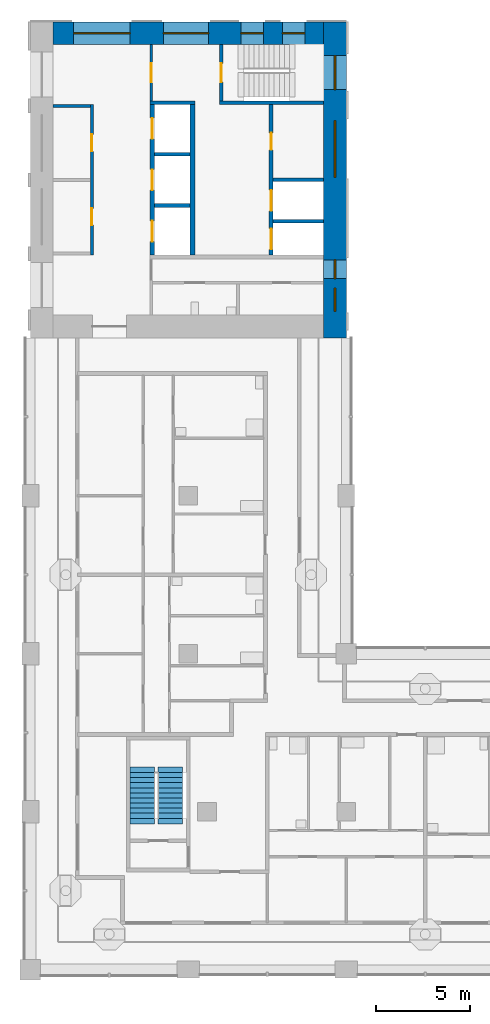
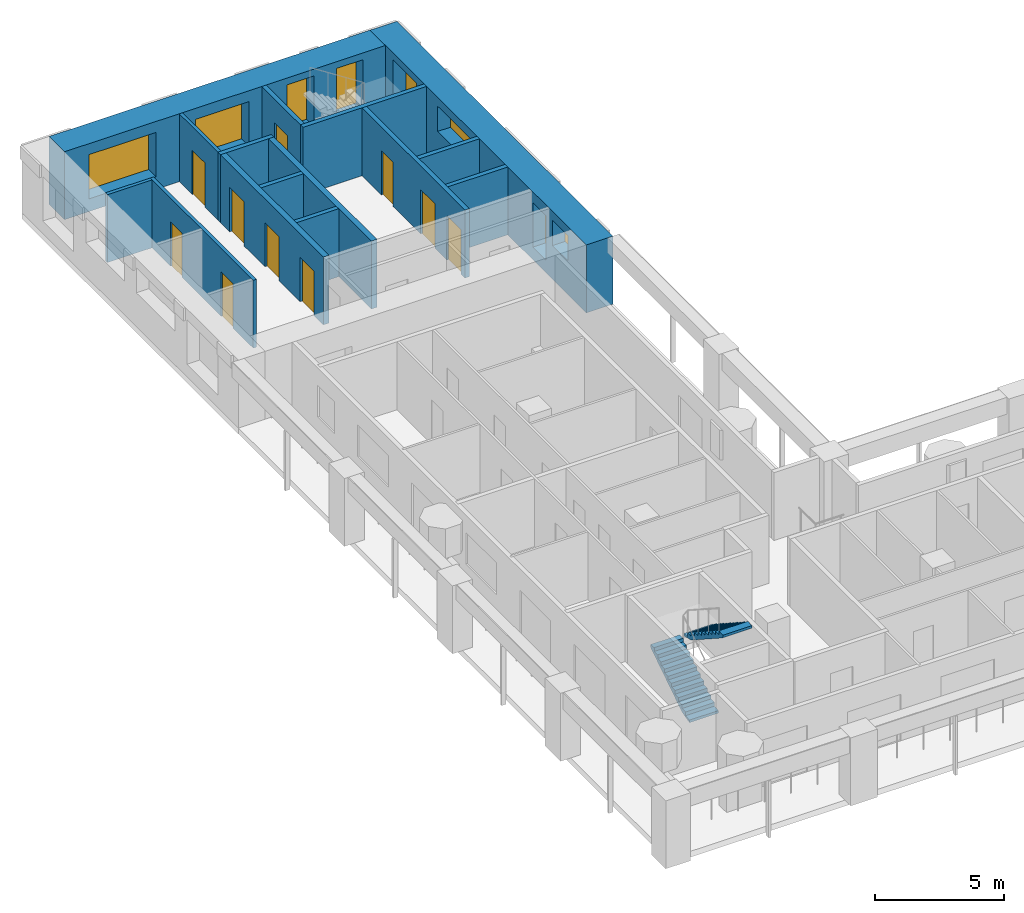
# One storey, part 6 of 13: 15 walls, 10 doors, 8 windows, 2 stair flights, 18 openings, 1 element without a shape of its own.
"""IFC4 building model written with IfcOpenShell, lengths in metres."""

from ifc_helpers import new_model, si_unit, direction, frame, frame_2d, origin, place, context, subcontext, project, spatial, polyline, rectangle, outline, extrude, material, layer, layer_set, type_object, element, fill, aggregate, save


model = new_model("IFC4")

# Units and contexts
model_context = context("Model", 3, precision=1e-05, world=origin(), true_north=direction((0.0, 1.0)))
body_context = subcontext(model_context, "Body", "Model", "MODEL_VIEW")
ifc_project = project(units=[si_unit("LENGTHUNIT", "METRE"), si_unit("AREAUNIT", "SQUARE_METRE"), si_unit("VOLUMEUNIT", "CUBIC_METRE"), si_unit("PLANEANGLEUNIT", "RADIAN"), si_unit("MASSUNIT", "GRAM", prefix="KILO")], contexts=[model_context])

# Site, building, storey
site_placement = place(None, origin())
site = spatial("IfcSite", under=ifc_project, at=site_placement, CompositionType="ELEMENT")
building_placement = place(site_placement, origin())
building = spatial("IfcBuilding", under=site, at=building_placement, Name="Vermilion Gate Residences", CompositionType="ELEMENT")
storey_placement = place(building_placement, frame((0.0, 0.0, 179.199951171875)))
storey = spatial("IfcBuildingStorey", under=building, at=storey_placement, Name="L46", CompositionType="ELEMENT", Elevation=179.199951171875)

# Wall
ifc_material_1 = material(Name="Masonry blockwork", Category="masonry")
ifc_layer_1 = layer(ifc_material_1, 0.14990234375)
ifc_layer_set_1 = layer_set([ifc_layer_1], Name="BLOCKWORK PARTITION 150 EI 120")
wall_type_1 = type_object("IfcWallType", Name="BLOCKWORK PARTITION 150 EI 120", PredefinedType="PARTITIONING", material=ifc_layer_set_1)
wall_1_placement = place(storey_placement, frame((9.60009765625, 54.324951171875, 0.0), z_axis=(0.0, 0.0, 1.0), x_axis=(1.0, 0.0, 0.0)))
element("IfcWall", 1, at=wall_1_placement, inside=storey, type_object=wall_type_1, Name="Core room partition B46-RW-W", PredefinedType="PARTITIONING", context=body_context, shape_type="SweptSolid", body=[
    extrude(rectangle(XDim=2.0, YDim=0.14990234375, at=frame_2d((1.0, 0.0))), origin(), (0.0, 0.0, 1.0), 3.219970703125),
])

# Wall, openings, doors
wall_2_placement = place(storey_placement, frame((11.675048828125, 54.39990234375, 0.0), z_axis=(0.0, 0.0, 1.0), x_axis=(0.0, -1.0, 0.0)))
wall_2 = element("IfcWall", 2, at=wall_2_placement, inside=storey, type_object=wall_type_1, Name="Core room partition B46-LR-F", PredefinedType="PARTITIONING", context=body_context, shape_type="SweptSolid", body=[
    extrude(rectangle(XDim=8.0, YDim=0.14990234375, at=frame_2d((4.0, 0.0))), origin(), (0.0, 0.0, 1.0), 3.219970703125),
])
opening_1_placement = place(wall_2_placement, frame((1.58740234375, 0.0, 0.0)))
opening_1 = element("IfcOpeningElement", 3, at=opening_1_placement, cuts=wall_2, Name="Opening DK46102", PredefinedType="OPENING", context=body_context, shape_type="SweptSolid", body=[
    extrude(rectangle(XDim=0.89990234375, YDim=2.10009765625, at=frame_2d((0.449951171875, 1.050048828125))), frame((0.0, 0.0849609375, 0.0), z_axis=(0.0, -1.0, 0.0), x_axis=(1.0, 0.0, 0.0)), (0.0, 0.0, 1.0), 0.169921875),
])
opening_2_placement = place(wall_2_placement, frame((5.512451171875, 0.0, 0.0)))
opening_2 = element("IfcOpeningElement", 4, at=opening_2_placement, cuts=wall_2, Name="Opening DK46103", PredefinedType="OPENING", context=body_context, shape_type="SweptSolid", body=[
    extrude(rectangle(XDim=0.89990234375, YDim=2.10009765625, at=frame_2d((0.449951171875, 1.050048828125))), frame((0.0, 0.0849609375, 0.0), z_axis=(0.0, -1.0, 0.0), x_axis=(1.0, 0.0, 0.0)), (0.0, 0.0, 1.0), 0.169921875),
])
ifc_material_2 = material(Name="Steel", Category="steel")
door_type_1 = type_object("IfcDoorType", Name="SERVICE ROOM DOOR FD60 900 X 2100", OperationType="SINGLE_SWING_LEFT", PredefinedType="DOOR", material=ifc_material_2)
door_1_placement = place(opening_1_placement, frame((0.89990234375, 0.0, 0.0), z_axis=(0.0, 0.0, 1.0), x_axis=(-1.0, 0.0, 0.0)))
door_1 = element("IfcDoor", 5, at=door_1_placement, inside=storey, type_object=door_type_1, Name="Mail room B46", OperationType="SINGLE_SWING_RIGHT", OverallHeight=2.10009765625, OverallWidth=0.89990234375, PredefinedType="DOOR", context=body_context, shape_type="SweptSolid", body=[
    extrude(rectangle(XDim=0.89990234375, YDim=2.10009765625, at=frame_2d((0.449951171875, 1.050048828125))), frame((0.0, 0.02490234375, 0.0), z_axis=(0.0, -1.0, 0.0), x_axis=(1.0, 0.0, 0.0)), (0.0, 0.0, 1.0), 0.050048828125),
])
fill(opening_1, door_1)
door_2_placement = place(opening_2_placement, frame((0.89990234375, 0.0, 0.0), z_axis=(0.0, 0.0, 1.0), x_axis=(-1.0, 0.0, 0.0)))
door_2 = element("IfcDoor", 6, at=door_2_placement, inside=storey, type_object=door_type_1, Name="Cleaner's store B46", OperationType="SINGLE_SWING_LEFT", OverallHeight=2.10009765625, OverallWidth=0.89990234375, PredefinedType="DOOR", context=body_context, shape_type="SweptSolid", body=[
    extrude(rectangle(XDim=0.89990234375, YDim=2.10009765625, at=frame_2d((0.449951171875, 1.050048828125))), frame((0.0, 0.02490234375, 0.0), z_axis=(0.0, -1.0, 0.0), x_axis=(1.0, 0.0, 0.0)), (0.0, 0.0, 1.0), 0.050048828125),
])
fill(opening_2, door_2)

# Wall, opening, door
wall_3_placement = place(storey_placement, frame((14.824951171875, 57.60009765625, 0.0), z_axis=(0.0, 0.0, 1.0), x_axis=(0.0, -1.0, 0.0)))
wall_3 = element("IfcWall", 7, at=wall_3_placement, inside=storey, type_object=wall_type_1, Name="Core room partition B46-VW-S", PredefinedType="PARTITIONING", context=body_context, shape_type="SweptSolid", body=[
    extrude(rectangle(XDim=3.0, YDim=0.14990234375, at=frame_2d((1.5, 0.0))), origin(), (0.0, 0.0, 1.0), 3.219970703125),
])
opening_3_placement = place(wall_3_placement, frame((1.0, 0.0, 0.0)))
opening_3 = element("IfcOpeningElement", 8, at=opening_3_placement, cuts=wall_3, Name="Opening DK46110", PredefinedType="OPENING", context=body_context, shape_type="SweptSolid", body=[
    extrude(rectangle(XDim=1.0, YDim=2.10009765625, at=frame_2d((0.5, 1.050048828125))), frame((0.0, 0.0849609375, 0.0), z_axis=(0.0, -1.0, 0.0), x_axis=(1.0, 0.0, 0.0)), (0.0, 0.0, 1.0), 0.169921875),
])
ifc_material_3 = material(Name="Steel", Category="steel")
door_type_2 = type_object("IfcDoorType", Name="FIRE DOOR FD60 1000 X 2100", OperationType="SINGLE_SWING_LEFT", PredefinedType="DOOR", material=ifc_material_3)
door_3_placement = place(opening_3_placement, frame((1.0, 0.0, 0.0), z_axis=(0.0, 0.0, 1.0), x_axis=(-1.0, 0.0, 0.0)))
door_3 = element("IfcDoor", 9, at=door_3_placement, inside=storey, type_object=door_type_2, Name="Stair vestibule door B46", OperationType="SINGLE_SWING_RIGHT", OverallHeight=2.10009765625, OverallWidth=1.0, PredefinedType="DOOR", context=body_context, shape_type="SweptSolid", body=[
    extrude(rectangle(XDim=1.0, YDim=2.10009765625, at=frame_2d((0.5, 1.050048828125))), frame((0.0, 0.02490234375, 0.0), z_axis=(0.0, -1.0, 0.0), x_axis=(1.0, 0.0, 0.0)), (0.0, 0.0, 1.0), 0.050048828125),
])
fill(opening_3, door_3)

# Walls
ifc_material_4 = material(Name="Concrete C60", Category="concrete")
ifc_layer_2 = layer(ifc_material_4, 0.199951171875)
ifc_layer_set_2 = layer_set([ifc_layer_2], Name="RC CORE INTERNAL WALL 200 C60")
wall_type_2 = type_object("IfcWallType", Name="RC CORE INTERNAL WALL 200 C60", PredefinedType="SHEAR", material=ifc_layer_set_2)
for number, where, z_axis, x_axis, name in (
    (10, (15.0, 51.7666015625, 0.0), (0.0, 0.0, 1.0), (1.0, 0.0, 0.0), "Core internal wall B46-HR-D1"),
    (11, (15.0, 49.033447265625, 0.0), (0.0, 0.0, 1.0), (1.0, 0.0, 0.0), "Core internal wall B46-HR-D2"),
):
    element("IfcWall", number, at=place(storey_placement, frame(where, z_axis=z_axis, x_axis=x_axis)), inside=storey, type_object=wall_type_2, Name=name, PredefinedType="SHEAR", context=body_context, shape_type="SweptSolid", body=[
        extrude(rectangle(XDim=1.89990234375, YDim=0.199951171875, at=frame_2d((0.949951171875, 0.0))), origin(), (0.0, 0.0, 1.0), 3.219970703125),
    ])
for number, where, z_axis, x_axis, name in (
    (12, (21.300048828125, 50.39990234375, 0.0), (0.0, 0.0, 1.0), (1.0, 0.0, 0.0), "Core internal wall B46-FF-D0"),
    (13, (21.300048828125, 48.199951171875, 0.0), (0.0, 0.0, 1.0), (1.0, 0.0, 0.0), "Core internal wall B46-FF-D1"),
):
    element("IfcWall", number, at=place(storey_placement, frame(where, z_axis=z_axis, x_axis=x_axis)), inside=storey, type_object=wall_type_2, Name=name, PredefinedType="SHEAR", context=body_context, shape_type="SweptSolid", body=[
        extrude(rectangle(XDim=2.699951171875, YDim=0.199951171875, at=frame_2d((1.35009765625, 0.0))), origin(), (0.0, 0.0, 1.0), 3.219970703125),
    ])

# Wall, openings, doors
wall_4_placement = place(storey_placement, frame((21.199951171875, 54.39990234375, 0.0), z_axis=(0.0, 0.0, 1.0), x_axis=(0.0, -1.0, 0.0)))
wall_4 = element("IfcWall", 14, at=wall_4_placement, inside=storey, type_object=wall_type_2, Name="Core internal wall B46-FF-F", PredefinedType="SHEAR", context=body_context, shape_type="SweptSolid", body=[
    extrude(rectangle(XDim=8.0, YDim=0.199951171875, at=frame_2d((4.0, 0.0))), origin(), (0.0, 0.0, 1.0), 3.219970703125),
])
opening_4_placement = place(wall_4_placement, frame((1.5, 0.0, 0.0)))
opening_4 = element("IfcOpeningElement", 15, at=opening_4_placement, cuts=wall_4, Name="Opening DK46107", PredefinedType="OPENING", context=body_context, shape_type="SweptSolid", body=[
    extrude(rectangle(XDim=0.89990234375, YDim=2.10009765625, at=frame_2d((0.449951171875, 1.050048828125))), frame((0.0, 0.10986328125, 0.0), z_axis=(0.0, -1.0, 0.0), x_axis=(1.0, 0.0, 0.0)), (0.0, 0.0, 1.0), 0.219970703125),
])
opening_5_placement = place(wall_4_placement, frame((4.550048828125, 0.0, 0.0)))
opening_5 = element("IfcOpeningElement", 16, at=opening_5_placement, cuts=wall_4, Name="Opening LD", PredefinedType="OPENING", context=body_context, shape_type="SweptSolid", body=[
    extrude(rectangle(XDim=1.10009765625, YDim=2.10009765625, at=frame_2d((0.550048828125, 1.050048828125))), frame((0.0, 0.10986328125, 0.0), z_axis=(0.0, -1.0, 0.0), x_axis=(1.0, 0.0, 0.0)), (0.0, 0.0, 1.0), 0.219970703125),
])
opening_6_placement = place(wall_4_placement, frame((6.60009765625, 0.0, 0.0)))
opening_6 = element("IfcOpeningElement", 17, at=opening_6_placement, cuts=wall_4, Name="Opening LD", PredefinedType="OPENING", context=body_context, shape_type="SweptSolid", body=[
    extrude(rectangle(XDim=1.10009765625, YDim=2.10009765625, at=frame_2d((0.550048828125, 1.050048828125))), frame((0.0, 0.10986328125, 0.0), z_axis=(0.0, -1.0, 0.0), x_axis=(1.0, 0.0, 0.0)), (0.0, 0.0, 1.0), 0.219970703125),
])
ifc_material_5 = material(Name="Stainless steel", Category="steel")
door_type_3 = type_object("IfcDoorType", Name="LIFT LANDING DOOR E60 1100 X 2100", OperationType="DOUBLE_DOOR_SLIDING", PredefinedType="DOOR", material=ifc_material_5)
door_4_placement = place(opening_5_placement, origin())
door_4 = element("IfcDoor", 18, at=door_4_placement, inside=storey, type_object=door_type_3, Name="Lift landing door LFB1", OperationType="DOUBLE_DOOR_SLIDING", OverallHeight=2.10009765625, OverallWidth=1.10009765625, PredefinedType="DOOR", context=body_context, shape_type="SweptSolid", body=[
    extrude(rectangle(XDim=1.10009765625, YDim=2.10009765625, at=frame_2d((0.550048828125, 1.050048828125))), frame((0.0, 0.02490234375, 0.0), z_axis=(0.0, -1.0, 0.0), x_axis=(1.0, 0.0, 0.0)), (0.0, 0.0, 1.0), 0.050048828125),
])
fill(opening_5, door_4)
door_5_placement = place(opening_6_placement, origin())
door_5 = element("IfcDoor", 19, at=door_5_placement, inside=storey, type_object=door_type_3, Name="Lift landing door LCB1", OperationType="DOUBLE_DOOR_SLIDING", OverallHeight=2.10009765625, OverallWidth=1.10009765625, PredefinedType="DOOR", context=body_context, shape_type="SweptSolid", body=[
    extrude(rectangle(XDim=1.10009765625, YDim=2.10009765625, at=frame_2d((0.550048828125, 1.050048828125))), frame((0.0, 0.02490234375, 0.0), z_axis=(0.0, -1.0, 0.0), x_axis=(1.0, 0.0, 0.0)), (0.0, 0.0, 1.0), 0.050048828125),
])
fill(opening_6, door_5)
door_6_placement = place(opening_4_placement, origin())
door_6 = element("IfcDoor", 20, at=door_6_placement, inside=storey, type_object=door_type_1, Name="Housekeeping store B46", OperationType="SINGLE_SWING_LEFT", OverallHeight=2.10009765625, OverallWidth=0.89990234375, PredefinedType="DOOR", context=body_context, shape_type="SweptSolid", body=[
    extrude(rectangle(XDim=0.89990234375, YDim=2.10009765625, at=frame_2d((0.449951171875, 1.050048828125))), frame((0.0, 0.02490234375, 0.0), z_axis=(0.0, -1.0, 0.0), x_axis=(1.0, 0.0, 0.0)), (0.0, 0.0, 1.0), 0.050048828125),
])
fill(opening_4, door_6)

# Walls
wall_5_placement = place(storey_placement, frame((14.75, 54.5, 0.0), z_axis=(0.0, 0.0, 1.0), x_axis=(1.0, 0.0, 0.0)))
element("IfcWall", 21, at=wall_5_placement, inside=storey, type_object=wall_type_2, Name="Core internal wall B46-WDIV1", PredefinedType="SHEAR", context=body_context, shape_type="SweptSolid", body=[
    extrude(rectangle(XDim=2.39990234375, YDim=0.199951171875, at=frame_2d((1.199951171875, 0.0))), origin(), (0.0, 0.0, 1.0), 3.219970703125),
])
wall_6_placement = place(storey_placement, frame((18.449951171875, 54.5, 0.0), z_axis=(0.0, 0.0, 1.0), x_axis=(1.0, 0.0, 0.0)))
element("IfcWall", 22, at=wall_6_placement, inside=storey, type_object=wall_type_2, Name="Core internal wall B46-WDIV2", PredefinedType="SHEAR", context=body_context, shape_type="SweptSolid", body=[
    extrude(rectangle(XDim=5.550048828125, YDim=0.199951171875, at=frame_2d((2.77490234375, 0.0))), origin(), (0.0, 0.0, 1.0), 3.219970703125),
])

# Wall, opening, door
wall_7_placement = place(storey_placement, frame((18.550048828125, 57.60009765625, 0.0), z_axis=(0.0, 0.0, 1.0), x_axis=(0.0, -1.0, 0.0)))
wall_7 = element("IfcWall", 23, at=wall_7_placement, inside=storey, type_object=wall_type_2, Name="Core internal wall B46-STW-S", PredefinedType="SHEAR", context=body_context, shape_type="SweptSolid", body=[
    extrude(rectangle(XDim=3.0, YDim=0.199951171875, at=frame_2d((1.5, 0.0))), origin(), (0.0, 0.0, 1.0), 3.219970703125),
])
opening_7_placement = place(wall_7_placement, frame((1.0, 0.0, 0.0)))
opening_7 = element("IfcOpeningElement", 24, at=opening_7_placement, cuts=wall_7, Name="Opening DK46111", PredefinedType="OPENING", context=body_context, shape_type="SweptSolid", body=[
    extrude(rectangle(XDim=1.0, YDim=2.10009765625, at=frame_2d((0.5, 1.050048828125))), frame((0.0, 0.10986328125, 0.0), z_axis=(0.0, -1.0, 0.0), x_axis=(1.0, 0.0, 0.0)), (0.0, 0.0, 1.0), 0.219970703125),
])
door_7_placement = place(opening_7_placement, origin())
door_7 = element("IfcDoor", 25, at=door_7_placement, inside=storey, type_object=door_type_2, Name="Stair door B46", OperationType="SINGLE_SWING_LEFT", OverallHeight=2.10009765625, OverallWidth=1.0, PredefinedType="DOOR", context=body_context, shape_type="SweptSolid", body=[
    extrude(rectangle(XDim=1.0, YDim=2.10009765625, at=frame_2d((0.5, 1.050048828125))), frame((0.0, 0.02490234375, 0.0), z_axis=(0.0, -1.0, 0.0), x_axis=(1.0, 0.0, 0.0)), (0.0, 0.0, 1.0), 0.050048828125),
])
fill(opening_7, door_7)

# Wall, openings, windows
ifc_material_6 = material(Name="Concrete C60 red-oxide pigmented", Category="concrete")
ifc_layer_3 = layer(ifc_material_6, 1.199951171875)
ifc_layer_set_3 = layer_set([ifc_layer_3], Name="RC CORE WALL 1200 C60 RED OXIDE")
wall_type_3 = type_object("IfcWallType", Name="RC CORE WALL 1200 C60 RED OXIDE", PredefinedType="SHEAR", material=ifc_layer_set_3)
wall_8_placement = place(storey_placement, frame((24.60009765625, 58.800048828125, 0.0), z_axis=(0.0, 0.0, 1.0), x_axis=(0.0, -1.0, 0.0)))
wall_8 = element("IfcWall", 26, at=wall_8_placement, inside=storey, type_object=wall_type_3, Name="Core wall B46-OUT-B1", PredefinedType="SHEAR", context=body_context, shape_type="SweptSolid", body=[
    extrude(rectangle(XDim=16.800048828125, YDim=1.199951171875, at=frame_2d((8.39990234375, 0.0))), origin(), (0.0, 0.0, 1.0), 3.219970703125),
])
opening_8_placement = place(wall_8_placement, frame((1.800048828125, 0.0, 0.5)))
opening_8 = element("IfcOpeningElement", 27, at=opening_8_placement, cuts=wall_8, Name="Opening WKB4605", PredefinedType="OPENING", context=body_context, shape_type="SweptSolid", body=[
    extrude(rectangle(XDim=1.800048828125, YDim=2.39990234375, at=frame_2d((0.89990234375, 1.199951171875))), frame((0.0, 0.60986328125, 0.0), z_axis=(0.0, -1.0, 0.0), x_axis=(1.0, 0.0, 0.0)), (0.0, 0.0, 1.0), 1.219970703125),
])
opening_9_placement = place(wall_8_placement, frame((5.25, 0.0, 1.60009765625)))
opening_9 = element("IfcOpeningElement", 28, at=opening_9_placement, cuts=wall_8, Name="Opening WKB4606", PredefinedType="OPENING", context=body_context, shape_type="SweptSolid", body=[
    extrude(rectangle(XDim=3.0, YDim=1.199951171875, at=frame_2d((1.5, 0.60009765625))), frame((0.0, 0.60986328125, 0.0), z_axis=(0.0, -1.0, 0.0), x_axis=(1.0, 0.0, 0.0)), (0.0, 0.0, 1.0), 1.219970703125),
])
opening_10_placement = place(wall_8_placement, frame((12.64990234375, 0.0, 0.60009765625)))
opening_10 = element("IfcOpeningElement", 29, at=opening_10_placement, cuts=wall_8, Name="Opening WKB4607", PredefinedType="OPENING", context=body_context, shape_type="SweptSolid", body=[
    extrude(rectangle(XDim=1.0, YDim=2.10009765625, at=frame_2d((0.5, 1.050048828125))), frame((0.0, 0.60986328125, 0.0), z_axis=(0.0, -1.0, 0.0), x_axis=(1.0, 0.0, 0.0)), (0.0, 0.0, 1.0), 1.219970703125),
])
opening_11_placement = place(wall_8_placement, frame((14.175048828125, 0.0, 1.60009765625)))
opening_11 = element("IfcOpeningElement", 30, at=opening_11_placement, cuts=wall_8, Name="Opening WKB4608", PredefinedType="OPENING", context=body_context, shape_type="SweptSolid", body=[
    extrude(rectangle(XDim=1.199951171875, YDim=1.199951171875, at=frame_2d((0.60009765625, 0.60009765625))), frame((0.0, 0.60986328125, 0.0), z_axis=(0.0, -1.0, 0.0), x_axis=(1.0, 0.0, 0.0)), (0.0, 0.0, 1.0), 1.219970703125),
])
ifc_material_7 = material(Name="Aluminium and clear glass", Category="aluminium")
window_type_1 = type_object("IfcWindowType", Name="CORE CORRIDOR WINDOW 1000 X 2100", PartitioningType="SINGLE_PANEL", PredefinedType="WINDOW", material=ifc_material_7)
window_1_placement = place(opening_10_placement, origin())
window_1 = element("IfcWindow", 31, at=window_1_placement, inside=storey, type_object=window_type_1, Name="Core corridor window", OverallHeight=2.10009765625, OverallWidth=1.0, PartitioningType="SINGLE_PANEL", PredefinedType="WINDOW", context=body_context, shape_type="SweptSolid", body=[
    extrude(rectangle(XDim=1.0, YDim=2.10009765625, at=frame_2d((0.5, 1.050048828125))), frame((0.0, 0.030029296875, 0.0), z_axis=(0.0, -1.0, 0.0), x_axis=(1.0, 0.0, 0.0)), (0.0, 0.0, 1.0), 0.06005859375),
])
fill(opening_10, window_1)
ifc_material_8 = material(Name="Aluminium frame with louvre blades", Category="aluminium")
window_type_2 = type_object("IfcWindowType", Name="CORE LOUVRE 1200 X 1200", PartitioningType="SINGLE_PANEL", PredefinedType="WINDOW", material=ifc_material_8)
window_2_placement = place(opening_11_placement, origin())
window_2 = element("IfcWindow", 32, at=window_2_placement, inside=storey, type_object=window_type_2, Name="Core louvre", OverallHeight=1.199951171875, OverallWidth=1.199951171875, PartitioningType="SINGLE_PANEL", PredefinedType="WINDOW", context=body_context, shape_type="SweptSolid", body=[
    extrude(rectangle(XDim=1.199951171875, YDim=1.199951171875, at=frame_2d((0.60009765625, 0.60009765625))), frame((0.0, 0.030029296875, 0.0), z_axis=(0.0, -1.0, 0.0), x_axis=(1.0, 0.0, 0.0)), (0.0, 0.0, 1.0), 0.06005859375),
])
fill(opening_11, window_2)
ifc_material_9 = material(Name="Aluminium frame with louvre blades", Category="aluminium")
window_type_3 = type_object("IfcWindowType", Name="CORE LOUVRE 3000 X 1200", PartitioningType="SINGLE_PANEL", PredefinedType="WINDOW", material=ifc_material_9)
window_3_placement = place(opening_9_placement, origin())
window_3 = element("IfcWindow", 33, at=window_3_placement, inside=storey, type_object=window_type_3, Name="Core louvre", OverallHeight=1.199951171875, OverallWidth=3.0, PartitioningType="SINGLE_PANEL", PredefinedType="WINDOW", context=body_context, shape_type="SweptSolid", body=[
    extrude(rectangle(XDim=3.0, YDim=1.199951171875, at=frame_2d((1.5, 0.60009765625))), frame((0.0, 0.030029296875, 0.0), z_axis=(0.0, -1.0, 0.0), x_axis=(1.0, 0.0, 0.0)), (0.0, 0.0, 1.0), 0.06005859375),
])
fill(opening_9, window_3)
ifc_material_10 = material(Name="Aluminium and clear glass", Category="aluminium")
window_type_4 = type_object("IfcWindowType", Name="CORE STAIR WINDOW 1800 X 2400", PartitioningType="SINGLE_PANEL", PredefinedType="WINDOW", material=ifc_material_10)
window_4_placement = place(opening_8_placement, origin())
window_4 = element("IfcWindow", 34, at=window_4_placement, inside=storey, type_object=window_type_4, Name="Core stair window", OverallHeight=2.39990234375, OverallWidth=1.800048828125, PartitioningType="SINGLE_PANEL", PredefinedType="WINDOW", context=body_context, shape_type="SweptSolid", body=[
    extrude(rectangle(XDim=1.800048828125, YDim=2.39990234375, at=frame_2d((0.89990234375, 1.199951171875))), frame((0.0, 0.030029296875, 0.0), z_axis=(0.0, -1.0, 0.0), x_axis=(1.0, 0.0, 0.0)), (0.0, 0.0, 1.0), 0.06005859375),
])
fill(opening_8, window_4)

wall_9_placement = place(storey_placement, frame((9.60009765625, 58.199951171875, 0.0), z_axis=(0.0, 0.0, 1.0), x_axis=(1.0, 0.0, 0.0)))
wall_9 = element("IfcWall", 35, at=wall_9_placement, inside=storey, type_object=wall_type_3, Name="Core wall B46-OUT-FR", PredefinedType="SHEAR", context=body_context, shape_type="SweptSolid", body=[
    extrude(rectangle(XDim=14.39990234375, YDim=1.199951171875, at=frame_2d((7.199951171875, 0.0))), origin(), (0.0, 0.0, 1.0), 3.219970703125),
])
opening_12_placement = place(wall_9_placement, frame((1.10498046875, 0.0, 0.60009765625)))
opening_12 = element("IfcOpeningElement", 36, at=opening_12_placement, cuts=wall_9, Name="Opening WKB4609", PredefinedType="OPENING", context=body_context, shape_type="SweptSolid", body=[
    extrude(rectangle(XDim=3.0, YDim=2.10009765625, at=frame_2d((1.5, 1.050048828125))), frame((0.0, 0.60986328125, 0.0), z_axis=(0.0, -1.0, 0.0), x_axis=(1.0, 0.0, 0.0)), (0.0, 0.0, 1.0), 1.219970703125),
])
opening_13_placement = place(wall_9_placement, frame((5.875, 0.0, 0.60009765625)))
opening_13 = element("IfcOpeningElement", 37, at=opening_13_placement, cuts=wall_9, Name="Opening WKB4610", PredefinedType="OPENING", context=body_context, shape_type="SweptSolid", body=[
    extrude(rectangle(XDim=2.39990234375, YDim=2.10009765625, at=frame_2d((1.199951171875, 1.050048828125))), frame((0.0, 0.60986328125, 0.0), z_axis=(0.0, -1.0, 0.0), x_axis=(1.0, 0.0, 0.0)), (0.0, 0.0, 1.0), 1.219970703125),
])
opening_14_placement = place(wall_9_placement, frame((9.993408203125, 0.0, 0.5)))
opening_14 = element("IfcOpeningElement", 38, at=opening_14_placement, cuts=wall_9, Name="Opening WKB4611", PredefinedType="OPENING", context=body_context, shape_type="SweptSolid", body=[
    extrude(rectangle(XDim=1.199951171875, YDim=2.39990234375, at=frame_2d((0.60009765625, 1.199951171875))), frame((0.0, 0.60986328125, 0.0), z_axis=(0.0, -1.0, 0.0), x_axis=(1.0, 0.0, 0.0)), (0.0, 0.0, 1.0), 1.219970703125),
])
opening_15_placement = place(wall_9_placement, frame((12.19677734375, 0.0, 0.5)))
opening_15 = element("IfcOpeningElement", 39, at=opening_15_placement, cuts=wall_9, Name="Opening WKB4612", PredefinedType="OPENING", context=body_context, shape_type="SweptSolid", body=[
    extrude(rectangle(XDim=1.199951171875, YDim=2.39990234375, at=frame_2d((0.60009765625, 1.199951171875))), frame((0.0, 0.60986328125, 0.0), z_axis=(0.0, -1.0, 0.0), x_axis=(1.0, 0.0, 0.0)), (0.0, 0.0, 1.0), 1.219970703125),
])
ifc_material_11 = material(Name="Aluminium and clear glass", Category="aluminium")
window_type_5 = type_object("IfcWindowType", Name="CORE LOBBY WINDOW 2400 X 2100", PartitioningType="SINGLE_PANEL", PredefinedType="WINDOW", material=ifc_material_11)
window_5_placement = place(opening_13_placement, origin())
window_5 = element("IfcWindow", 40, at=window_5_placement, inside=storey, type_object=window_type_5, Name="Core lobby window", OverallHeight=2.10009765625, OverallWidth=2.39990234375, PartitioningType="SINGLE_PANEL", PredefinedType="WINDOW", context=body_context, shape_type="SweptSolid", body=[
    extrude(rectangle(XDim=2.39990234375, YDim=2.10009765625, at=frame_2d((1.199951171875, 1.050048828125))), frame((0.0, 0.030029296875, 0.0), z_axis=(0.0, -1.0, 0.0), x_axis=(1.0, 0.0, 0.0)), (0.0, 0.0, 1.0), 0.06005859375),
])
fill(opening_13, window_5)
ifc_material_12 = material(Name="Aluminium and clear glass", Category="aluminium")
window_type_6 = type_object("IfcWindowType", Name="CORE LOBBY WINDOW 3000 X 2100", PartitioningType="SINGLE_PANEL", PredefinedType="WINDOW", material=ifc_material_12)
window_6_placement = place(opening_12_placement, origin())
window_6 = element("IfcWindow", 41, at=window_6_placement, inside=storey, type_object=window_type_6, Name="Core lobby window", OverallHeight=2.10009765625, OverallWidth=3.0, PartitioningType="SINGLE_PANEL", PredefinedType="WINDOW", context=body_context, shape_type="SweptSolid", body=[
    extrude(rectangle(XDim=3.0, YDim=2.10009765625, at=frame_2d((1.5, 1.050048828125))), frame((0.0, 0.030029296875, 0.0), z_axis=(0.0, -1.0, 0.0), x_axis=(1.0, 0.0, 0.0)), (0.0, 0.0, 1.0), 0.06005859375),
])
fill(opening_12, window_6)
ifc_material_13 = material(Name="Aluminium and clear glass", Category="aluminium")
window_type_7 = type_object("IfcWindowType", Name="CORE STAIR WINDOW 1200 X 2400", PartitioningType="SINGLE_PANEL", PredefinedType="WINDOW", material=ifc_material_13)
window_7_placement = place(opening_14_placement, origin())
window_7 = element("IfcWindow", 42, at=window_7_placement, inside=storey, type_object=window_type_7, Name="Core stair window", OverallHeight=2.39990234375, OverallWidth=1.199951171875, PartitioningType="SINGLE_PANEL", PredefinedType="WINDOW", context=body_context, shape_type="SweptSolid", body=[
    extrude(rectangle(XDim=1.199951171875, YDim=2.39990234375, at=frame_2d((0.60009765625, 1.199951171875))), frame((0.0, 0.030029296875, 0.0), z_axis=(0.0, -1.0, 0.0), x_axis=(1.0, 0.0, 0.0)), (0.0, 0.0, 1.0), 0.06005859375),
])
fill(opening_14, window_7)
window_8_placement = place(opening_15_placement, origin())
window_8 = element("IfcWindow", 43, at=window_8_placement, inside=storey, type_object=window_type_7, Name="Core stair window", OverallHeight=2.39990234375, OverallWidth=1.199951171875, PartitioningType="SINGLE_PANEL", PredefinedType="WINDOW", context=body_context, shape_type="SweptSolid", body=[
    extrude(rectangle(XDim=1.199951171875, YDim=2.39990234375, at=frame_2d((0.60009765625, 1.199951171875))), frame((0.0, 0.030029296875, 0.0), z_axis=(0.0, -1.0, 0.0), x_axis=(1.0, 0.0, 0.0)), (0.0, 0.0, 1.0), 0.06005859375),
])
fill(opening_15, window_8)

# Wall, openings, doors
ifc_material_14 = material(Name="Concrete C60", Category="concrete")
ifc_layer_4 = layer(ifc_material_14, 0.25)
ifc_layer_set_4 = layer_set([ifc_layer_4], Name="RC LIFT SHAFT WALL 250 C60")
wall_type_4 = type_object("IfcWallType", Name="RC LIFT SHAFT WALL 250 C60", PredefinedType="SHEAR", material=ifc_layer_set_4)
wall_10_placement = place(storey_placement, frame((14.875, 54.39990234375, 0.0), z_axis=(0.0, 0.0, 1.0), x_axis=(0.0, -1.0, 0.0)))
wall_10 = element("IfcWall", 44, at=wall_10_placement, inside=storey, type_object=wall_type_4, Name="Lift shaft wall B46-HR-F", PredefinedType="SHEAR", context=body_context, shape_type="SweptSolid", body=[
    extrude(rectangle(XDim=8.0, YDim=0.25, at=frame_2d((4.0, 0.0))), origin(), (0.0, 0.0, 1.0), 3.219970703125),
])
opening_16_placement = place(wall_10_placement, frame((0.716552734375, 0.0, 0.0)))
opening_16 = element("IfcOpeningElement", 45, at=opening_16_placement, cuts=wall_10, Name="Opening LD", PredefinedType="OPENING", context=body_context, shape_type="SweptSolid", body=[
    extrude(rectangle(XDim=1.10009765625, YDim=2.10009765625, at=frame_2d((0.550048828125, 1.050048828125))), frame((0.0, 0.135009765625, 0.0), z_axis=(0.0, -1.0, 0.0), x_axis=(1.0, 0.0, 0.0)), (0.0, 0.0, 1.0), 0.27001953125),
])
opening_17_placement = place(wall_10_placement, frame((3.449951171875, 0.0, 0.0)))
opening_17 = element("IfcOpeningElement", 46, at=opening_17_placement, cuts=wall_10, Name="Opening LD", PredefinedType="OPENING", context=body_context, shape_type="SweptSolid", body=[
    extrude(rectangle(XDim=1.10009765625, YDim=2.10009765625, at=frame_2d((0.550048828125, 1.050048828125))), frame((0.0, 0.135009765625, 0.0), z_axis=(0.0, -1.0, 0.0), x_axis=(1.0, 0.0, 0.0)), (0.0, 0.0, 1.0), 0.27001953125),
])
opening_18_placement = place(wall_10_placement, frame((6.183349609375, 0.0, 0.0)))
opening_18 = element("IfcOpeningElement", 47, at=opening_18_placement, cuts=wall_10, Name="Opening LD", PredefinedType="OPENING", context=body_context, shape_type="SweptSolid", body=[
    extrude(rectangle(XDim=1.10009765625, YDim=2.10009765625, at=frame_2d((0.550048828125, 1.050048828125))), frame((0.0, 0.135009765625, 0.0), z_axis=(0.0, -1.0, 0.0), x_axis=(1.0, 0.0, 0.0)), (0.0, 0.0, 1.0), 0.27001953125),
])
door_8_placement = place(opening_16_placement, origin())
door_8 = element("IfcDoor", 48, at=door_8_placement, inside=storey, type_object=door_type_3, Name="Lift landing door HRB1", OperationType="DOUBLE_DOOR_SLIDING", OverallHeight=2.10009765625, OverallWidth=1.10009765625, PredefinedType="DOOR", context=body_context, shape_type="SweptSolid", body=[
    extrude(rectangle(XDim=1.10009765625, YDim=2.10009765625, at=frame_2d((0.550048828125, 1.050048828125))), frame((0.0, 0.02490234375, 0.0), z_axis=(0.0, -1.0, 0.0), x_axis=(1.0, 0.0, 0.0)), (0.0, 0.0, 1.0), 0.050048828125),
])
fill(opening_16, door_8)
door_9_placement = place(opening_17_placement, origin())
door_9 = element("IfcDoor", 49, at=door_9_placement, inside=storey, type_object=door_type_3, Name="Lift landing door HRB2", OperationType="DOUBLE_DOOR_SLIDING", OverallHeight=2.10009765625, OverallWidth=1.10009765625, PredefinedType="DOOR", context=body_context, shape_type="SweptSolid", body=[
    extrude(rectangle(XDim=1.10009765625, YDim=2.10009765625, at=frame_2d((0.550048828125, 1.050048828125))), frame((0.0, 0.02490234375, 0.0), z_axis=(0.0, -1.0, 0.0), x_axis=(1.0, 0.0, 0.0)), (0.0, 0.0, 1.0), 0.050048828125),
])
fill(opening_17, door_9)
door_10_placement = place(opening_18_placement, origin())
door_10 = element("IfcDoor", 50, at=door_10_placement, inside=storey, type_object=door_type_3, Name="Lift landing door HRB3", OperationType="DOUBLE_DOOR_SLIDING", OverallHeight=2.10009765625, OverallWidth=1.10009765625, PredefinedType="DOOR", context=body_context, shape_type="SweptSolid", body=[
    extrude(rectangle(XDim=1.10009765625, YDim=2.10009765625, at=frame_2d((0.550048828125, 1.050048828125))), frame((0.0, 0.02490234375, 0.0), z_axis=(0.0, -1.0, 0.0), x_axis=(1.0, 0.0, 0.0)), (0.0, 0.0, 1.0), 0.050048828125),
])
fill(opening_18, door_10)

# Wall
wall_11_placement = place(storey_placement, frame((17.02490234375, 54.39990234375, 0.0), z_axis=(0.0, 0.0, 1.0), x_axis=(0.0, -1.0, 0.0)))
element("IfcWall", 51, at=wall_11_placement, inside=storey, type_object=wall_type_4, Name="Lift shaft wall B46-HR-B", PredefinedType="SHEAR", context=body_context, shape_type="SweptSolid", body=[
    extrude(rectangle(XDim=8.0, YDim=0.25, at=frame_2d((4.0, 0.0))), origin(), (0.0, 0.0, 1.0), 3.219970703125),
])

# Stair, stair flights
ifc_material_15 = material(Name="Concrete C50", Category="concrete")
stair_type = type_object("IfcStairType", Name="SPECIAL ESCAPE STAIR 1300", PredefinedType="HALF_TURN_STAIR", material=ifc_material_15)
stair_placement = place(storey_placement, origin())
stair = element("IfcStair", 52, at=stair_placement, inside=storey, type_object=stair_type, Name="Special escape stair STC1-46", PredefinedType="HALF_TURN_STAIR")
ifc_material_16 = material(Name="Concrete C50", Category="concrete")
stair_flight_type = type_object("IfcStairFlightType", Name="STAIR FLIGHT 1300 RC C50", PredefinedType="STRAIGHT", material=ifc_material_16)
stair_flight_1_placement = place(storey_placement, frame((14.35009765625, 16.449951171875, 0.0), z_axis=(0.0, 0.0, 1.0), x_axis=(0.0, 1.0, 0.0)))
stair_flight_1 = element("IfcStairFlight", 53, at=stair_flight_1_placement, type_object=stair_flight_type, Name="STC1-46 flight 1", NumberOfRisers=10, NumberOfTreads=9, PredefinedType="STRAIGHT", RiserHeight=0.175, TreadLength=0.27, context=body_context, shape_type="SweptSolid", body=[
    extrude(outline(polyline([(-0.300048828125, -0.14990234375), (-0.300048828125, -0.030029296875), (0.0, 0.0), (0.0, 0.175048828125), (0.27001953125, 0.175048828125), (0.27001953125, 0.35009765625), (0.5400390625, 0.35009765625), (0.5400390625, 0.52490234375), (0.81005859375, 0.52490234375), (0.81005859375, 0.699951171875), (1.080078125, 0.699951171875), (1.080078125, 0.875), (1.35009765625, 0.875), (1.35009765625, 1.050048828125), (1.6201171875, 1.050048828125), (1.6201171875, 1.22509765625), (1.889892578125, 1.22509765625), (1.889892578125, 1.39990234375), (2.159912109375, 1.39990234375), (2.159912109375, 1.574951171875), (2.429931640625, 1.574951171875), (2.429931640625, 1.75), (2.72998046875, 1.719970703125), (2.72998046875, 1.60009765625), (2.429931640625, 1.396484375), (0.275634765625, 0.0), (-0.300048828125, -0.14990234375)])), frame((0.0, 0.64990234375, 0.0), z_axis=(0.0, -1.0, 0.0), x_axis=(1.0, 0.0, 0.0)), (0.0, 0.0, 1.0), 1.300048828125),
])
stair_flight_2_placement = place(storey_placement, frame((15.85009765625, 18.8798828125, 1.75), z_axis=(0.0, 0.0, 1.0), x_axis=(0.0, -1.0, 0.0)))
stair_flight_2 = element("IfcStairFlight", 54, at=stair_flight_2_placement, type_object=stair_flight_type, Name="STC1-46 flight 2", NumberOfRisers=10, NumberOfTreads=9, PredefinedType="STRAIGHT", RiserHeight=0.175, TreadLength=0.27, context=body_context, shape_type="SweptSolid", body=[
    extrude(outline(polyline([(-0.300048828125, -0.14990234375), (-0.300048828125, -0.030029296875), (0.0, 0.0), (0.0, 0.175048828125), (0.27001953125, 0.175048828125), (0.27001953125, 0.35009765625), (0.5400390625, 0.35009765625), (0.5400390625, 0.52490234375), (0.81005859375, 0.52490234375), (0.81005859375, 0.699951171875), (1.080078125, 0.699951171875), (1.080078125, 0.875), (1.35009765625, 0.875), (1.35009765625, 1.050048828125), (1.6201171875, 1.050048828125), (1.6201171875, 1.22509765625), (1.889892578125, 1.22509765625), (1.889892578125, 1.39990234375), (2.159912109375, 1.39990234375), (2.159912109375, 1.574951171875), (2.429931640625, 1.574951171875), (2.429931640625, 1.75), (2.72998046875, 1.719970703125), (2.72998046875, 1.60009765625), (2.429931640625, 1.396484375), (0.275634765625, 0.0), (-0.300048828125, -0.14990234375)])), frame((0.0, 0.64990234375, 0.0), z_axis=(0.0, -1.0, 0.0), x_axis=(1.0, 0.0, 0.0)), (0.0, 0.0, 1.0), 1.300048828125),
])
aggregate(stair, [stair_flight_1, stair_flight_2])

save(model, "model.ifc")
